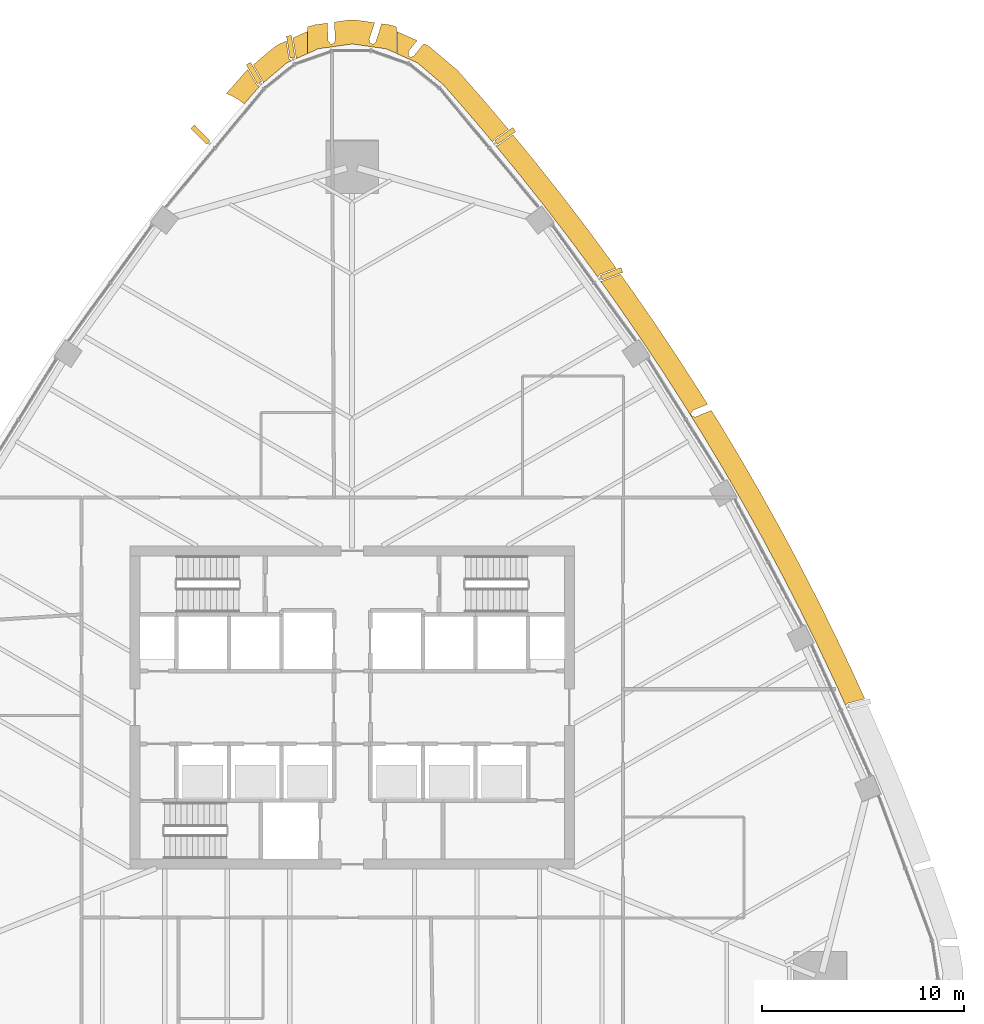
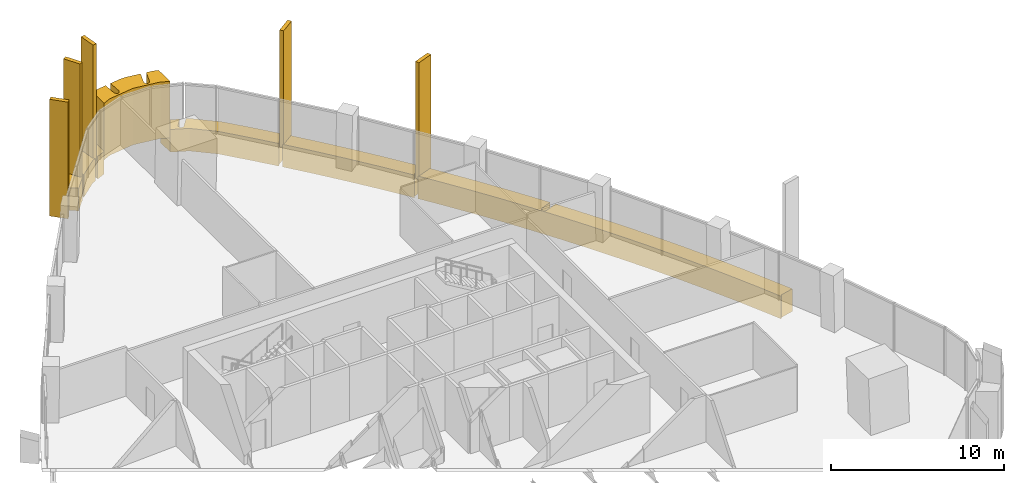
# One storey, part 18 of 19: 12 coverings.
"""IFC4 building model written with IfcOpenShell, lengths in metres."""

from ifc_helpers import new_model, si_unit, direction, frame, origin, origin_2d, place, context, subcontext, project, spatial, polyline, rectangle, outline, extrude, material, layer, layer_set, material_profile, profile_set, type_object, element, save


model = new_model("IFC4")

# Units and contexts
model_context = context("Model", 3, precision=1e-05, world=origin(), true_north=direction((0.0, 1.0)))
body_context = subcontext(model_context, "Body", "Model", "MODEL_VIEW")
ifc_project = project(units=[si_unit("LENGTHUNIT", "METRE"), si_unit("AREAUNIT", "SQUARE_METRE"), si_unit("VOLUMEUNIT", "CUBIC_METRE"), si_unit("PLANEANGLEUNIT", "RADIAN"), si_unit("MASSUNIT", "GRAM", prefix="KILO")], contexts=[model_context])

# Site, building, storey
site_placement = place(None, origin())
site = spatial("IfcSite", under=ifc_project, at=site_placement, CompositionType="ELEMENT")
building_placement = place(site_placement, origin())
building = spatial("IfcBuilding", under=site, at=building_placement, Name="Sierra Prisma Convention Tower", CompositionType="ELEMENT")
storey_placement = place(building_placement, frame((0.0, 0.0, 193.800048828125)))
storey = spatial("IfcBuildingStorey", under=building, at=storey_placement, Name="L43", CompositionType="ELEMENT", Elevation=193.800048828125)

# Coverings
ifc_material_1 = material(Name="Aluminium composite bronze anodised", Category="aluminium")
ifc_layer_1 = layer(ifc_material_1, 1.199951171875)
ifc_layer_set_1 = layer_set([ifc_layer_1], Name="Bronze corner pier")
covering_type_1 = type_object("IfcCoveringType", Name="Bronze corner pier", PredefinedType="CLADDING", material=ifc_layer_set_1)
covering_1_placement = place(storey_placement, frame((0.0, 0.0, -0.60009765625)))
element("IfcCovering", 1, at=covering_1_placement, inside=storey, type_object=covering_type_1, Name="Corner pier N L43.1", PredefinedType="CLADDING", context=body_context, shape_type="SweptSolid", body=[
    extrude(outline(polyline([(-1.072021484375, 32.84423828125), (-1.068115234375, 32.841796875), (-1.06396484375, 32.839599609375), (-1.059326171875, 32.837646484375), (-1.054931640625, 32.836181640625), (-1.05029296875, 32.83544921875), (-1.04541015625, 32.8349609375), (-1.04052734375, 32.8349609375), (-1.035888671875, 32.83544921875), (-0.936767578125, 32.849365234375), (-0.93212890625, 32.850341796875), (-0.927490234375, 32.851806640625), (-0.9228515625, 32.853515625), (-0.918701171875, 32.855712890625), (-0.91455078125, 32.8583984375), (-0.91064453125, 32.861328125), (-0.9072265625, 32.86474609375), (-0.904052734375, 32.868408203125), (-0.9013671875, 32.87255859375), (-0.89892578125, 32.876708984375), (-0.840576171875, 32.9951171875), (-0.83837890625, 33.0), (-0.8369140625, 33.0048828125), (-0.8359375, 33.009765625), (-0.83544921875, 33.014892578125), (-0.83544921875, 33.02001953125), (-0.883544921875, 33.91796875), (-0.168212890625, 34.019287109375), (0.168212890625, 34.019287109375), (1.111572265625, 33.8857421875), (0.84375, 33.06494140625), (0.842529296875, 33.060546875), (0.841796875, 33.055908203125), (0.84130859375, 33.05126953125), (0.84130859375, 33.046630859375), (0.841796875, 33.0419921875), (0.8427734375, 33.037353515625), (0.843994140625, 33.032958984375), (0.896484375, 32.88232421875), (0.8984375, 32.877685546875), (0.90087890625, 32.873291015625), (0.903564453125, 32.869384765625), (0.90673828125, 32.865478515625), (0.91015625, 32.86181640625), (0.9140625, 32.858642578125), (0.918212890625, 32.85595703125), (0.922607421875, 32.853515625), (0.92724609375, 32.851806640625), (0.931884765625, 32.850341796875), (0.936767578125, 32.849365234375), (1.035888671875, 32.83544921875), (1.041015625, 32.8349609375), (1.046142578125, 32.8349609375), (1.05126953125, 32.835693359375), (1.056396484375, 32.836669921875), (1.061279296875, 32.83837890625), (1.06591796875, 32.840576171875), (1.0703125, 32.84326171875), (1.07470703125, 32.84619140625), (1.078369140625, 32.849609375), (1.16455078125, 32.936767578125), (1.167724609375, 32.940185546875), (1.17041015625, 32.944091796875), (1.1728515625, 32.947998046875), (1.1748046875, 32.9521484375), (1.176513671875, 32.956298828125), (1.46337890625, 33.835693359375), (1.849853515625, 33.781005859375), (2.173095703125, 33.687744140625), (2.199951171875, 33.675537109375), (2.199951171875, 32.360107421875), (1.681640625, 32.593017578125), (0.0, 32.8310546875), (-1.681640625, 32.593017578125), (-2.199951171875, 32.360107421875), (-2.199951171875, 33.675537109375), (-2.173095703125, 33.687744140625), (-1.849853515625, 33.781005859375), (-1.231201171875, 33.86865234375), (-1.184814453125, 33.00146484375), (-1.184326171875, 32.996337890625), (-1.183349609375, 32.991455078125), (-1.181884765625, 32.986572265625), (-1.179931640625, 32.98193359375), (-1.177490234375, 32.9775390625), (-1.174560546875, 32.973388671875), (-1.08251953125, 32.854248046875), (-1.079345703125, 32.8505859375), (-1.075927734375, 32.847412109375), (-1.072021484375, 32.84423828125)])), origin(), (0.0, 0.0, 1.0), 4.0),
])
ifc_material_2 = material(Name="Aluminium 6063-T6 bronze anodised", Category="aluminium")
ifc_material_profile = material_profile(ifc_material_2, rectangle(XDim=1.10009765625, YDim=0.25, at=origin_2d()), Name="ALU FIN 1100x250")
ifc_profile_set = profile_set([ifc_material_profile], Name="Aluminium 6063-T6 bronze anodised")
covering_type_2 = type_object("IfcCoveringType", Name="Bronze facade fin", PredefinedType="CLADDING", material=ifc_profile_set)
for number, where, z_axis, x_axis, name in (
    (2, (12.835693359375, 21.4599609375, -0.300048828125), (0.0, 0.0, 1.0), (0.936123017337, 0.351672712066, 0.0), "Fin L43.36"),
    (3, (7.574462890625, 28.28125, -0.300048828125), (0.0, 0.0, 1.0), (0.816664624933, 0.577112545681, 0.0), "Fin L43.39"),
    (4, (-3.039794921875, 32.697021484375, -0.300048828125), (0.0, 0.0, 1.0), (-0.159492453983, 0.987199147651, 0.0), "Fin L43.44"),
    (5, (-4.854736328125, 31.38818359375, -0.300048828125), (0.0, 0.0, 1.0), (-0.504463269165, 0.863433153211, 0.0), "Fin L43.45"),
    (6, (-7.512451171875, 28.3544921875, -0.300048828125), (0.0, 0.0, 1.0), (-0.704043112379, 0.710157233232, 0.0), "Fin L43.46"),
):
    element("IfcCovering", number, at=place(storey_placement, frame(where, z_axis=z_axis, x_axis=x_axis)), inside=storey, type_object=covering_type_2, Name=name, ObjectType="FIN", PredefinedType="CLADDING", context=body_context, shape_type="SweptSolid", body=[
        extrude(rectangle(XDim=1.10009765625, YDim=0.25, at=origin_2d()), origin(), (0.0, 0.0, 1.0), 8.25),
    ])
ifc_material_3 = material(Name="Aluminium composite bronze anodised", Category="aluminium")
ifc_layer_2 = layer(ifc_material_3, 1.0)
ifc_layer_set_2 = layer_set([ifc_layer_2], Name="Bronze spandrel band")
covering_type_3 = type_object("IfcCoveringType", Name="Bronze spandrel band", PredefinedType="CLADDING", material=ifc_layer_set_2)
covering_2_placement = place(storey_placement, frame((0.0, 0.0, -1.60009765625)))
element("IfcCovering", 7, at=covering_2_placement, inside=storey, type_object=covering_type_3, Name="Spandrel band L43.1", PredefinedType="CLADDING", context=body_context, shape_type="SweptSolid", body=[
    extrude(outline(polyline([(-4.7197265625, 30.81396484375), (-4.71630859375, 30.810791015625), (-4.71240234375, 30.80810546875), (-4.70849609375, 30.805908203125), (-4.7041015625, 30.803955078125), (-4.5703125, 30.748779296875), (-5.3447265625, 29.86328125), (-5.41357421875, 29.92041015625), (-5.610107421875, 30.068115234375), (-5.820068359375, 30.196044921875), (-6.04150390625, 30.302978515625), (-6.22900390625, 30.37158203125), (-5.279052734375, 31.45751953125), (-5.173095703125, 31.561767578125), (-5.16357421875, 31.56982421875), (-4.728271484375, 30.824951171875), (-4.725830078125, 30.821044921875), (-4.722900390625, 30.8173828125), (-4.7197265625, 30.81396484375)])), origin(), (0.0, 0.0, 1.0), 1.60009765625),
])
covering_3_placement = place(storey_placement, frame((0.0, 0.0, -1.60009765625)))
element("IfcCovering", 8, at=covering_3_placement, inside=storey, type_object=covering_type_3, Name="Spandrel band L43.2", PredefinedType="CLADDING", context=body_context, shape_type="SweptSolid", body=[
    extrude(outline(polyline([(-3.11181640625, 32.099853515625), (-3.108154296875, 32.096435546875), (-2.998779296875, 32.001708984375), (-3.23095703125, 31.8974609375), (-4.4140625, 30.894287109375), (-4.41943359375, 30.9794921875), (-4.419921875, 30.98388671875), (-4.4208984375, 30.988525390625), (-4.422119140625, 30.992919921875), (-4.424072265625, 30.997314453125), (-4.426025390625, 31.00146484375), (-4.892578125, 31.799560546875), (-3.877685546875, 32.66015625), (-3.640380859375, 32.809814453125), (-3.2626953125, 32.979248046875), (-3.124755859375, 32.126220703125), (-3.123779296875, 32.121337890625), (-3.122314453125, 32.11669921875), (-3.1201171875, 32.112060546875), (-3.117919921875, 32.107666015625), (-3.114990234375, 32.103759765625), (-3.11181640625, 32.099853515625)])), origin(), (0.0, 0.0, 1.0), 1.60009765625),
])
covering_4_placement = place(storey_placement, frame((0.0, 0.0, -1.60009765625)))
element("IfcCovering", 9, at=covering_4_placement, inside=storey, type_object=covering_type_3, Name="Spandrel band L43.3", PredefinedType="CLADDING", context=body_context, shape_type="SweptSolid", body=[
    extrude(outline(polyline([(2.786865234375, 32.46923828125), (2.7841796875, 32.46484375), (2.7822265625, 32.46044921875), (2.780517578125, 32.455810546875), (2.779296875, 32.450927734375), (2.77880859375, 32.44580078125), (2.778564453125, 32.44091796875), (2.780517578125, 32.27294921875), (2.781005859375, 32.268310546875), (2.781494140625, 32.263671875), (2.78271484375, 32.259033203125), (2.784423828125, 32.254638671875), (2.786376953125, 32.250244140625), (2.788818359375, 32.24609375), (2.79150390625, 32.242431640625), (2.794677734375, 32.23876953125), (2.798095703125, 32.235595703125), (2.802001953125, 32.232666015625), (2.805908203125, 32.230224609375), (2.81005859375, 32.22802734375), (2.9013671875, 32.18701171875), (2.906005859375, 32.185302734375), (2.91064453125, 32.183837890625), (2.91552734375, 32.18310546875), (2.920654296875, 32.1826171875), (2.925537109375, 32.182861328125), (2.930419921875, 32.183349609375), (2.935302734375, 32.1845703125), (2.93994140625, 32.18603515625), (2.944580078125, 32.18798828125), (3.044921875, 32.239013671875), (3.04931640625, 32.24169921875), (3.0537109375, 32.24462890625), (3.0576171875, 32.248291015625), (3.06103515625, 32.252197265625), (3.549072265625, 32.8505859375), (3.640380859375, 32.809814453125), (3.877685546875, 32.66015625), (5.173095703125, 31.561767578125), (5.279052734375, 31.45751953125), (6.573486328125, 29.9775390625), (6.584228515625, 29.965087890625), (7.733154296875, 28.60791015625), (7.0244140625, 28.106689453125), (7.0205078125, 28.103759765625), (7.0166015625, 28.10009765625), (7.013427734375, 28.096435546875), (7.010498046875, 28.09228515625), (7.00830078125, 28.087890625), (7.006103515625, 28.083251953125), (6.96435546875, 27.968505859375), (5.821044921875, 29.319091796875), (4.5263671875, 30.799072265625), (3.23095703125, 31.8974609375), (2.2099609375, 32.355712890625), (2.2099609375, 33.451904296875), (3.218505859375, 32.9990234375), (2.789794921875, 32.47314453125), (2.786865234375, 32.46923828125)])), origin(), (0.0, 0.0, 1.0), 1.60009765625),
])
covering_5_placement = place(storey_placement, frame((0.0, 0.0, -1.60009765625)))
element("IfcCovering", 10, at=covering_5_placement, inside=storey, type_object=covering_type_3, Name="Spandrel band L43.4", PredefinedType="CLADDING", context=body_context, shape_type="SweptSolid", body=[
    extrude(outline(polyline([(-2.779296875, 32.16650390625), (-2.77880859375, 32.171630859375), (-2.77880859375, 32.177001953125), (-2.779296875, 32.18212890625), (-2.931884765625, 33.127685546875), (-2.2099609375, 33.451904296875), (-2.2099609375, 32.355712890625), (-2.798583984375, 32.091552734375), (-2.7802734375, 32.161376953125), (-2.779296875, 32.16650390625)])), origin(), (0.0, 0.0, 1.0), 1.60009765625),
])
covering_6_placement = place(storey_placement, frame((0.0, 0.0, -1.60009765625)))
element("IfcCovering", 11, at=covering_6_placement, inside=storey, type_object=covering_type_3, Name="Spandrel band L43.5", PredefinedType="CLADDING", context=body_context, shape_type="SweptSolid", body=[
    extrude(outline(polyline([(12.250244140625, 21.42578125), (12.24609375, 21.423095703125), (12.242431640625, 21.419921875), (12.239013671875, 21.416259765625), (12.23583984375, 21.412353515625), (12.2333984375, 21.408203125), (12.162109375, 21.281982421875), (11.923828125, 21.61474609375), (10.75390625, 23.19482421875), (9.55810546875, 24.755859375), (8.337158203125, 26.297119140625), (7.104736328125, 27.802001953125), (7.20263671875, 27.81201171875), (7.207763671875, 27.81298828125), (7.212646484375, 27.814208984375), (7.21728515625, 27.81591796875), (7.221923828125, 27.818359375), (7.226318359375, 27.821044921875), (7.958251953125, 28.338134765625), (9.11083984375, 26.9306640625), (9.12109375, 26.918212890625), (10.341796875, 25.376708984375), (10.351806640625, 25.364013671875), (11.547607421875, 23.802978515625), (11.557373046875, 23.7900390625), (12.7275390625, 22.2099609375), (12.737060546875, 22.19677734375), (13.068115234375, 21.734130859375), (12.25927734375, 21.430419921875), (12.254638671875, 21.42822265625), (12.250244140625, 21.42578125)])), origin(), (0.0, 0.0, 1.0), 1.60009765625),
])
covering_7_placement = place(storey_placement, frame((0.0, 0.0, -1.60009765625)))
element("IfcCovering", 12, at=covering_7_placement, inside=storey, type_object=covering_type_3, Name="Spandrel band L43.6", PredefinedType="CLADDING", context=body_context, shape_type="SweptSolid", body=[
    extrude(outline(polyline([(16.86474609375, 14.70361328125), (16.861328125, 14.70068359375), (16.858154296875, 14.697509765625), (16.855224609375, 14.69384765625), (16.8525390625, 14.68994140625), (16.770751953125, 14.552978515625), (16.7685546875, 14.548583984375), (16.7666015625, 14.5439453125), (16.76513671875, 14.539306640625), (16.76416015625, 14.534423828125), (16.763916015625, 14.529296875), (16.763916015625, 14.5244140625), (16.764404296875, 14.51953125), (16.765380859375, 14.5146484375), (16.766845703125, 14.510009765625), (16.768798828125, 14.50537109375), (16.771240234375, 14.5009765625), (16.82421875, 14.416015625), (16.826904296875, 14.411865234375), (16.830322265625, 14.407958984375), (16.834228515625, 14.404296875), (16.83837890625, 14.401123046875), (16.8427734375, 14.3984375), (16.847412109375, 14.396240234375), (16.852294921875, 14.39453125), (16.857177734375, 14.393310546875), (16.8623046875, 14.392578125), (16.984375, 14.38232421875), (16.989013671875, 14.382080078125), (16.99365234375, 14.382568359375), (16.998291015625, 14.38330078125), (17.002685546875, 14.38427734375), (17.007080078125, 14.3857421875), (17.778564453125, 14.6953125), (18.23046875, 13.96826171875), (18.239013671875, 13.954345703125), (19.24951171875, 12.267578125), (19.2578125, 12.253662109375), (20.240966796875, 10.55078125), (20.248779296875, 10.53662109375), (21.2041015625, 8.818115234375), (21.2119140625, 8.803955078125), (22.139404296875, 7.070068359375), (22.146728515625, 7.0556640625), (23.045654296875, 5.306884765625), (23.052978515625, 5.292236328125), (23.92333984375, 3.529296875), (23.930419921875, 3.5146484375), (24.772216796875, 1.737548828125), (24.77880859375, 1.722900390625), (25.369384765625, 0.421875), (24.53369140625, 0.20703125), (24.529296875, 0.205810546875), (24.525146484375, 0.203857421875), (24.52099609375, 0.201904296875), (24.51708984375, 0.19921875), (24.513427734375, 0.1962890625), (24.510009765625, 0.193115234375), (24.507080078125, 0.189697265625), (24.42431640625, 0.084716796875), (23.868408203125, 1.3095703125), (23.026611328125, 3.086669921875), (22.156494140625, 4.849609375), (21.25732421875, 6.598388671875), (20.330078125, 8.332275390625), (19.375, 10.05078125), (18.391845703125, 11.753662109375), (17.381103515625, 13.440185546875), (16.343017578125, 15.1103515625), (15.278076171875, 16.76318359375), (14.186279296875, 18.3984375), (13.068115234375, 20.015869140625), (12.289794921875, 21.103759765625), (12.36181640625, 21.099609375), (12.366943359375, 21.099609375), (12.372314453125, 21.10009765625), (12.377197265625, 21.10107421875), (12.38232421875, 21.102783203125), (13.279052734375, 21.439453125), (13.88134765625, 20.597900390625), (13.890869140625, 20.58447265625), (15.009033203125, 18.967041015625), (15.01806640625, 18.95361328125), (16.10986328125, 17.318359375), (16.11865234375, 17.3046875), (17.18359375, 15.65185546875), (17.1923828125, 15.63818359375), (17.5908203125, 14.9970703125), (16.876953125, 14.710693359375), (16.872802734375, 14.708740234375), (16.86865234375, 14.706298828125), (16.86474609375, 14.70361328125)])), origin(), (0.0, 0.0, 1.0), 1.60009765625),
])

save(model, "model.ifc")
